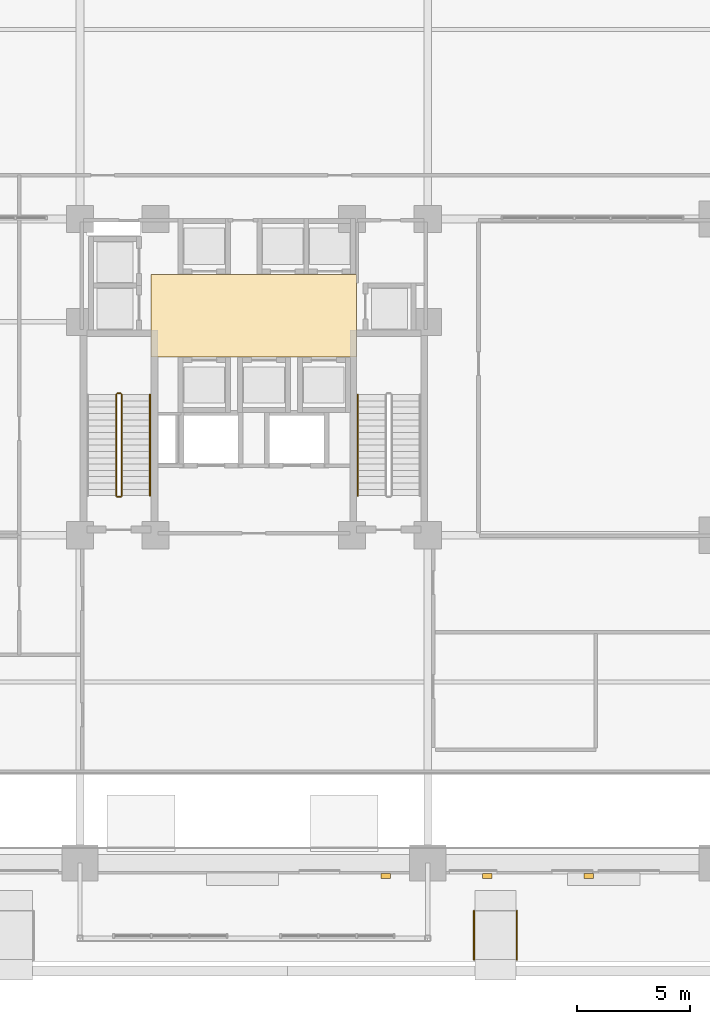
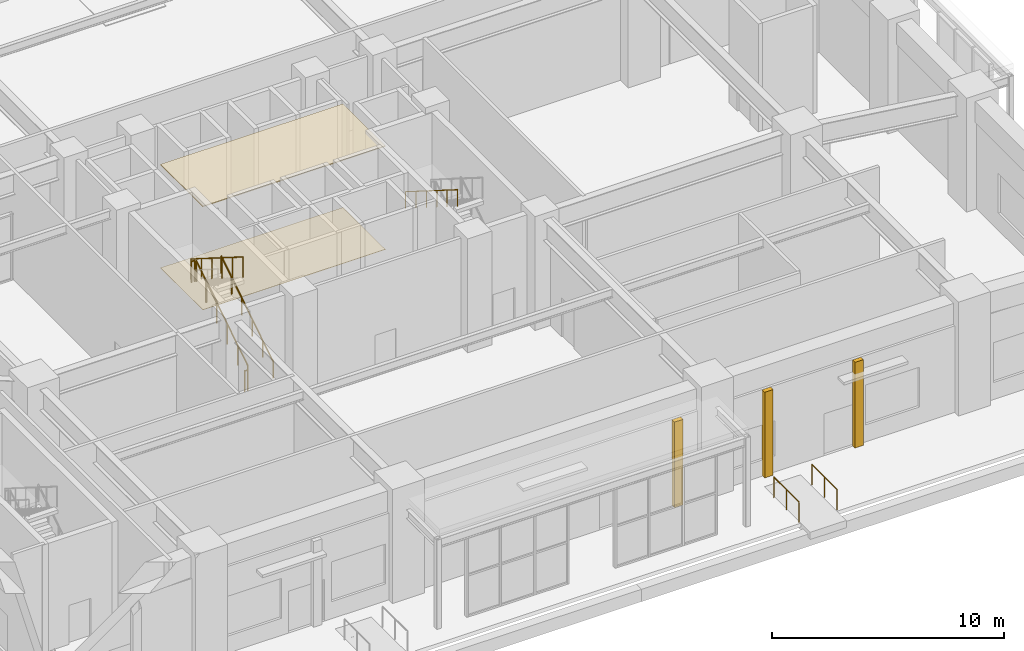
# One storey, part 20 of 24: 8 railings, 5 coverings.
"""IFC4 building model written with IfcOpenShell, lengths in metres."""

import ifcopenshell
import ifcopenshell.guid

model = None  # the IFC model being written
_history = None  # IfcOwnerHistory: only IFC2X3 demands one
_inside = {}  # id of a spatial element -> (the spatial element, [elements in it])
_under = {}  # id of a project, library or spatial element -> (it, [spatial elements below it])
_declared = {}  # id of a project -> (the project, [libraries it declares])
_typed = {}  # id of a type object -> (the type object, [elements of that type])
_made_of = {}  # id of a material, layer set ... -> (it, [elements and type objects made of it])


def new_model(schema):
    """Start an empty IFC model of exactly this schema.

    Asked for "IFC4X3", IfcOpenShell would pick the latest addendum, in which some entities
    have other attributes; the version numbers below select the first issue.
    IFC2X3 requires an IfcOwnerHistory on every rooted entity: one is made here for all.
    """
    global model, _history
    if schema == "IFC4X3":
        model = ifcopenshell.file(schema_version=(4, 3, 0, 0))
    else:
        model = ifcopenshell.file(schema=schema)
    _inside.clear()
    _under.clear()
    _declared.clear()
    _typed.clear()
    _made_of.clear()
    _history = None
    if model.schema == "IFC2X3":
        org = make("IfcOrganization", Name="unknown")
        user = make(
            "IfcPersonAndOrganization",
            ThePerson=make("IfcPerson", FamilyName="unknown"),
            TheOrganization=org,
        )
        app = make(
            "IfcApplication",
            ApplicationDeveloper=org,
            Version="unknown",
            ApplicationFullName="unknown",
            ApplicationIdentifier="unknown",
        )
        _history = make(
            "IfcOwnerHistory",
            OwningUser=user,
            OwningApplication=app,
            ChangeAction="ADDED",
            CreationDate=0,
        )
    return model


def make(cls, **values):
    """One entity of the class cls with the attributes given. An attribute that is None is left unset."""
    return model.create_entity(
        cls, **{name: value for name, value in values.items() if value is not None}
    )


def rooted(cls, **values):
    """An entity with a GlobalId (a new one), such as an element, a storey or a relation."""
    return make(cls, GlobalId=ifcopenshell.guid.new(), OwnerHistory=_history, **values)


def si_unit(unit_type, name, prefix=None):
    """IfcSIUnit, for example si_unit("LENGTHUNIT", "METRE", prefix="MILLI")."""
    return make("IfcSIUnit", UnitType=unit_type, Prefix=prefix, Name=name)


def derived_unit(unit_type, elements):
    """IfcDerivedUnit: a product of units, each with its exponent."""
    return make(
        "IfcDerivedUnit",
        Elements=[
            make("IfcDerivedUnitElement", Unit=unit, Exponent=power)
            for unit, power in elements
        ],
        UnitType=unit_type,
    )


def assignment(units):
    """IfcUnitAssignment: the units of a project."""
    return None if units is None else make("IfcUnitAssignment", Units=units)


def point(xyz):
    """IfcCartesianPoint."""
    return None if xyz is None else make("IfcCartesianPoint", Coordinates=xyz)


def direction(xyz):
    """IfcDirection."""
    return None if xyz is None else make("IfcDirection", DirectionRatios=xyz)


def frame(location, z_axis=None, x_axis=None):
    """IfcAxis2Placement3D, a coordinate frame: its origin and axes. An axis left out is left unset."""
    return make(
        "IfcAxis2Placement3D",
        Location=point(location),
        Axis=direction(z_axis),
        RefDirection=direction(x_axis),
    )


def frame_2d(location, x_axis=None):
    """IfcAxis2Placement2D, a coordinate frame in the plane: its origin and x axis."""
    return make(
        "IfcAxis2Placement2D", Location=point(location), RefDirection=direction(x_axis)
    )


def origin():
    """The frame at (0, 0, 0) with its axes left unset."""
    return frame((0.0, 0.0, 0.0))


def origin_2d():
    """The frame at (0, 0) in the plane with its x axis left unset."""
    return frame_2d((0.0, 0.0))


def place(relative_to, where):
    """IfcLocalPlacement: puts the frame where relative to a parent placement (None: the world)."""
    return make(
        "IfcLocalPlacement", PlacementRelTo=relative_to, RelativePlacement=where
    )


def context(
    kind, dimensions, precision=None, world=None, true_north=None, identifier=None
):
    """IfcGeometricRepresentationContext, for example the 3D "Model" context."""
    return make(
        "IfcGeometricRepresentationContext",
        ContextIdentifier=identifier,
        ContextType=kind,
        CoordinateSpaceDimension=dimensions,
        Precision=precision,
        WorldCoordinateSystem=world,
        TrueNorth=true_north,
    )


def subcontext(parent, identifier, kind, view, scale=None):
    """IfcGeometricRepresentationSubContext, for example "Body" below "Model"."""
    return make(
        "IfcGeometricRepresentationSubContext",
        ContextIdentifier=identifier,
        ContextType=kind,
        ParentContext=parent,
        TargetScale=scale,
        TargetView=view,
    )


def project(units=None, contexts=None):
    """IfcProject with its units and contexts."""
    return rooted(
        "IfcProject",
        Name="project",
        RepresentationContexts=contexts,
        UnitsInContext=assignment(units),
    )


def spatial(cls, under=None, at=None, **own):
    """A site, building, storey or space (cls), placed at a placement, below another one or the project."""
    s = rooted(cls, ObjectPlacement=at, **own)
    if under is not None:
        _under.setdefault(under.id(), (under, []))[1].append(s)
    return s


def polyline(points):
    """IfcPolyline through the points."""
    return make("IfcPolyline", Points=[point(p) for p in points])


def profile(cls, at=None, kind="AREA", **sizes):
    """A parametric profile (cls). Its sizes go by their IFC names, for example OverallWidth=200.0."""
    return make(cls, ProfileType=kind, Position=at, **sizes)


def rectangle(**sizes):
    """IfcRectangleProfileDef."""
    return profile("IfcRectangleProfileDef", **sizes)


def circle(**sizes):
    """IfcCircleProfileDef."""
    return profile("IfcCircleProfileDef", **sizes)


def outline(outer, holes=None, kind="AREA"):
    """IfcArbitraryClosedProfileDef: a profile drawn as a closed curve; with holes, ...WithVoids."""
    if holes is None:
        return make("IfcArbitraryClosedProfileDef", ProfileType=kind, OuterCurve=outer)
    return make(
        "IfcArbitraryProfileDefWithVoids",
        ProfileType=kind,
        OuterCurve=outer,
        InnerCurves=holes,
    )


def extrude(swept, where, along, depth):
    """IfcExtrudedAreaSolid: the profile swept, set in the frame where, extruded along a direction by depth."""
    return make(
        "IfcExtrudedAreaSolid",
        SweptArea=swept,
        Position=where,
        ExtrudedDirection=direction(along),
        Depth=depth,
    )


def shape(context_of_items, identifier, shape_type, items):
    """IfcShapeRepresentation: the items that make up one representation, for example the "Body"."""
    return make(
        "IfcShapeRepresentation",
        ContextOfItems=context_of_items,
        RepresentationIdentifier=identifier,
        RepresentationType=shape_type,
        Items=items,
    )


def material(Name=None, Category=None):
    """IfcMaterial."""
    return make("IfcMaterial", Name=Name, Category=Category)


def layer(
    of_material, thickness, ventilated=None, Name=None, Category=None, Priority=None
):
    """IfcMaterialLayer: one layer of a wall or slab, of a material (None: an air gap)."""
    return make(
        "IfcMaterialLayer",
        Material=of_material,
        LayerThickness=thickness,
        IsVentilated=ventilated,
        Name=Name,
        Category=Category,
        Priority=Priority,
    )


def layer_set(layers, Name=None):
    """IfcMaterialLayerSet."""
    return make("IfcMaterialLayerSet", MaterialLayers=layers, LayerSetName=Name)


def made_of(thing, what):
    """Note that an element or type object is made of a material, layer set ...; save() writes the relation."""
    if what is not None:
        _made_of.setdefault(what.id(), (what, []))[1].append(thing)
    return thing


def type_object(cls, material=None, **own):
    """A type object (cls), such as IfcWallType, which elements share."""
    return made_of(rooted(cls, **own), material)


def element(
    cls,
    number,
    at=None,
    inside=None,
    cuts=None,
    type_object=None,
    material=None,
    context=None,
    identifier="Body",
    shape_type=None,
    held_by="IfcProductDefinitionShape",
    body=None,
    shapes=None,
    **own,
):
    """One element of the class cls, such as IfcWall. Its Tag is "e" and its number.

    at: its placement. inside: the storey or other place that contains it. cuts: it is an
    opening in that element (IfcRelVoidsElement). A single representation is given by context,
    identifier, shape_type and body (its items); several are given by shapes. held_by: the class
    of the entity that holds the representations. save() writes the other relations.
    """
    e = rooted(cls, Tag="e%d" % number, ObjectPlacement=at, **own)
    if body is not None:
        shapes = [shape(context, identifier, shape_type, body)]
    if shapes is not None:
        e.Representation = make(held_by, Representations=shapes)
    if inside is not None:
        _inside.setdefault(inside.id(), (inside, []))[1].append(e)
    if cuts is not None:
        rooted(
            "IfcRelVoidsElement", RelatingBuildingElement=cuts, RelatedOpeningElement=e
        )
    if type_object is not None:
        _typed.setdefault(type_object.id(), (type_object, []))[1].append(e)
    return made_of(e, material)


def aggregate(whole, parts):
    """IfcRelAggregates: a whole, such as a stair, and the parts it consists of."""
    return rooted("IfcRelAggregates", RelatingObject=whole, RelatedObjects=parts)


def save(model, path):
    """Write the relations noted so far, then the file.

    IfcRelAggregates (storeys below a building ...), IfcRelContainedInSpatialStructure (elements
    in a storey), IfcRelDefinesByType, IfcRelAssociatesMaterial and IfcRelDeclares: one each for
    every whole, place, type object, material and project.
    """
    for whole, parts in _under.values():
        aggregate(whole, parts)
    for where, things in _inside.values():
        rooted(
            "IfcRelContainedInSpatialStructure",
            RelatedElements=things,
            RelatingStructure=where,
        )
    for kind, things in _typed.values():
        rooted("IfcRelDefinesByType", RelatedObjects=things, RelatingType=kind)
    for what, things in _made_of.values():
        rooted("IfcRelAssociatesMaterial", RelatedObjects=things, RelatingMaterial=what)
    for by, libraries in _declared.values():
        rooted("IfcRelDeclares", RelatingContext=by, RelatedDefinitions=libraries)
    model.write(path)


model = new_model("IFC4")

# Units and contexts
model_context = context("Model", 3, precision=1e-05, world=origin(), true_north=direction((0.0, 1.0)))
body_context = subcontext(model_context, "Body", "Model", "MODEL_VIEW")
ifc_project = project(units=[si_unit("LENGTHUNIT", "METRE"), si_unit("AREAUNIT", "SQUARE_METRE"), si_unit("VOLUMEUNIT", "CUBIC_METRE"), si_unit("PLANEANGLEUNIT", "RADIAN"), si_unit("MASSUNIT", "GRAM", prefix="KILO"), derived_unit("THERMALTRANSMITTANCEUNIT", [(si_unit("MASSUNIT", "GRAM", prefix="KILO"), 1), (si_unit("TIMEUNIT", "SECOND"), -3), (si_unit("THERMODYNAMICTEMPERATUREUNIT", "KELVIN"), -1)])], contexts=[model_context])

# Site, building, storey
site_placement = place(None, origin())
site = spatial("IfcSite", under=ifc_project, at=site_placement, CompositionType="ELEMENT")
building_placement = place(site_placement, origin())
building = spatial("IfcBuilding", under=site, at=building_placement, Name="Korrvale Station Residences", CompositionType="ELEMENT")
storey_placement = place(building_placement, origin())
storey = spatial("IfcBuildingStorey", under=building, at=storey_placement, Name="L00", CompositionType="ELEMENT", Elevation=0.0)

# Coverings
ifc_material_1 = material(Name="Perforated acoustic mineral-fibre suspended ceiling", Category="gypsum")
ifc_layer_1 = layer(ifc_material_1, 0.050048828125, Name="Perforated acoustic mineral-fibre suspended ceiling")
ifc_layer_set_1 = layer_set([ifc_layer_1], Name="Perforated acoustic mineral-fibre suspended ceiling")
covering_type_1 = type_object("IfcCoveringType", Name="COV-CLG-AC60", PredefinedType="CEILING", material=ifc_layer_set_1)
covering_1_placement = place(storey_placement, frame((0.0, 0.0, 5.429931640625)))
element("IfcCovering", 1, at=covering_1_placement, inside=storey, type_object=covering_type_1, Name="L00 Elevator Lobby Acoustic Ceiling", PredefinedType="CEILING", context=body_context, shape_type="SweptSolid", body=[
    extrude(outline(polyline([(20.949951171875, 22.89990234375), (30.050048828125, 22.89990234375), (30.050048828125, 26.550048828125), (20.949951171875, 26.550048828125), (20.949951171875, 22.89990234375)])), origin(), (0.0, 0.0, 1.0), 0.050048828125),
])
ifc_material_2 = material(Name="Polished quartz-terrazzo lobby flooring", Category="masonry")
ifc_layer_2 = layer(ifc_material_2, 0.02001953125, Name="Polished quartz-terrazzo lobby flooring")
ifc_layer_set_2 = layer_set([ifc_layer_2], Name="Polished quartz-terrazzo lobby flooring")
covering_type_2 = type_object("IfcCoveringType", Name="COV-FLR-TER20", PredefinedType="FLOORING", material=ifc_layer_set_2)
covering_2_placement = place(storey_placement, origin())
element("IfcCovering", 2, at=covering_2_placement, inside=storey, type_object=covering_type_2, Name="L00 Elevator Lobby Terrazzo Flooring", PredefinedType="FLOORING", context=body_context, shape_type="SweptSolid", body=[
    extrude(outline(polyline([(20.949951171875, 22.89990234375), (30.050048828125, 22.89990234375), (30.050048828125, 26.550048828125), (20.949951171875, 26.550048828125), (20.949951171875, 22.89990234375)])), origin(), (0.0, 0.0, 1.0), 0.02001953125),
])
ifc_material_3 = material(Name="Architectural precast concrete C45/55", Category="concrete")
ifc_layer_3 = layer(ifc_material_3, 0.219970703125, Name="Architectural precast concrete C45/55")
ifc_layer_set_3 = layer_set([ifc_layer_3], Name="Architectural precast concrete C45/55")
covering_type_3 = type_object("IfcCoveringType", Name="COV-PIER-400", PredefinedType="CLADDING", material=ifc_layer_set_3)
for number, where, z_axis, x_axis, name in (
    (3, (40.340087890625, -0.090087890625, 0.02490234375), (0.0, 0.0, 1.0), (1.0, 0.0, 0.0), "L00 Architectural Precast Facade Pier 02"),
    (4, (35.840087890625, -0.090087890625, 0.02490234375), (0.0, 0.0, 1.0), (1.0, 0.0, 0.0), "L00 Architectural Precast Facade Pier 03"),
    (5, (31.340087890625, -0.090087890625, 0.02490234375), (0.0, 0.0, 1.0), (1.0, 0.0, 0.0), "L00 Architectural Precast Facade Pier 04"),
):
    element("IfcCovering", number, at=place(storey_placement, frame(where, z_axis=z_axis, x_axis=x_axis)), inside=storey, type_object=covering_type_3, Name=name, PredefinedType="CLADDING", context=body_context, shape_type="SweptSolid", body=[
        extrude(rectangle(XDim=0.419921875, YDim=0.219970703125, at=origin_2d()), origin(), (0.0, 0.0, 1.0), 4.514892578125),
    ])

# Railings
ifc_material_4 = material(Name="Brushed stainless-steel accessibility ramp guard-handrail", Category="steel")
railing_type_1 = type_object("IfcRailingType", Name="RLG-RMP-1100", PredefinedType="GUARDRAIL", material=ifc_material_4)
for number, where, name in (
    (6, (35.25, -3.800048828125, 0.0), "Accessible Ramp Guard-Handrail R-ACC-2-A"),
    (7, (37.14990234375, -3.800048828125, 0.0), "Accessible Ramp Guard-Handrail R-ACC-2-B"),
):
    element("IfcRailing", number, at=place(storey_placement, frame(where)), inside=storey, type_object=railing_type_1, Name=name, PredefinedType="GUARDRAIL", context=body_context, shape_type="SweptSolid", body=[
        extrude(circle(Radius=0.02392578125, at=origin_2d()), frame((0.0, 0.0, 1.076171875), z_axis=(0.0, 1.0, 0.0), x_axis=(-1.0, 0.0, 0.0)), (0.0, 0.0, 1.0), 2.16015625),
        extrude(circle(Radius=0.02099609375, at=origin_2d()), origin(), (0.0, 0.0, 1.0), 1.052001953125),
        extrude(circle(Radius=0.02099609375, at=origin_2d()), frame((0.0, 1.080078125, 0.0)), (0.0, 0.0, 1.0), 1.052001953125),
        extrude(circle(Radius=0.02099609375, at=origin_2d()), frame((0.0, 2.16015625, 0.0)), (0.0, 0.0, 1.0), 1.052001953125),
    ])
ifc_material_5 = material(Name="Brushed stainless-steel continuous stair handrail", Category="steel")
railing_type_2 = type_object("IfcRailingType", Name="RLG-SHND-900", PredefinedType="HANDRAIL", material=ifc_material_5)
railing_1_placement = place(storey_placement, frame((20.89990234375, 16.75, 0.176513671875)))
element("IfcRailing", 8, at=railing_1_placement, inside=storey, type_object=railing_type_2, Name="L00 ST-1 stair handrail 1", PredefinedType="HANDRAIL", context=body_context, shape_type="SweptSolid", body=[
    extrude(circle(Radius=0.02392578125, at=origin_2d()), frame((0.0, 0.0, 0.8759765625), z_axis=(0.0, 0.845997938375, 0.533186166611), x_axis=(-1.0, 0.0, 0.0)), (0.0, 0.0, 1.0), 5.29541015625),
    extrude(circle(Radius=0.02099609375, at=origin_2d()), origin(), (0.0, 0.0, 1.0), 0.851806640625),
    extrude(circle(Radius=0.02099609375, at=origin_2d()), frame((0.0, 0.89599609375, 0.564697265625)), (0.0, 0.0, 1.0), 0.851806640625),
    extrude(circle(Radius=0.02099609375, at=origin_2d()), frame((0.0, 1.7919921875, 1.12939453125)), (0.0, 0.0, 1.0), 0.851806640625),
    extrude(circle(Radius=0.02099609375, at=origin_2d()), frame((0.0, 2.68798828125, 1.694091796875)), (0.0, 0.0, 1.0), 0.851806640625),
    extrude(circle(Radius=0.02099609375, at=origin_2d()), frame((0.0, 3.583984375, 2.2587890625)), (0.0, 0.0, 1.0), 0.851806640625),
    extrude(circle(Radius=0.02099609375, at=origin_2d()), frame((0.0, 4.47998046875, 2.823486328125)), (0.0, 0.0, 1.0), 0.851806640625),
])
railing_2_placement = place(storey_placement, frame((30.10009765625, 21.22998046875, 3.176513671875)))
element("IfcRailing", 9, at=railing_2_placement, inside=storey, type_object=railing_type_2, Name="L00 ST-2 stair handrail 2", PredefinedType="HANDRAIL", context=body_context, shape_type="SweptSolid", body=[
    extrude(circle(Radius=0.02392578125, at=origin_2d()), frame((0.0, 0.0, 0.8759765625), z_axis=(0.0, -0.845997938375, 0.533186166611), x_axis=(1.0, 0.0, 0.0)), (0.0, 0.0, 1.0), 5.29541015625),
    extrude(circle(Radius=0.02099609375, at=origin_2d()), origin(), (0.0, 0.0, 1.0), 0.851806640625),
    extrude(circle(Radius=0.02099609375, at=origin_2d()), frame((0.0, -0.89599609375, 0.564697265625)), (0.0, 0.0, 1.0), 0.851806640625),
    extrude(circle(Radius=0.02099609375, at=origin_2d()), frame((0.0, -1.7919921875, 1.12939453125)), (0.0, 0.0, 1.0), 0.851806640625),
    extrude(circle(Radius=0.02099609375, at=origin_2d()), frame((0.0, -2.68798828125, 1.694091796875)), (0.0, 0.0, 1.0), 0.851806640625),
    extrude(circle(Radius=0.02099609375, at=origin_2d()), frame((0.0, -3.583984375, 2.2587890625)), (0.0, 0.0, 1.0), 0.851806640625),
    extrude(circle(Radius=0.02099609375, at=origin_2d()), frame((0.0, -4.47998046875, 2.823486328125)), (0.0, 0.0, 1.0), 0.851806640625),
])
ifc_material_6 = material(Name="Galvanised painted tubular steel stair guard", Category="steel")
railing_type_3 = type_object("IfcRailingType", Name="RLG-STR-1100", PredefinedType="GUARDRAIL", material=ifc_material_6)
railing_3_placement = place(storey_placement, frame((19.64990234375, 16.75, 0.176513671875)))
element("IfcRailing", 10, at=railing_3_placement, inside=storey, type_object=railing_type_3, Name="L00 ST-1 stair guard 1", PredefinedType="GUARDRAIL", context=body_context, shape_type="SweptSolid", body=[
    extrude(circle(Radius=0.02392578125, at=origin_2d()), frame((0.0, 0.0, 1.076171875), z_axis=(0.0, 0.845997938375, 0.533186166611), x_axis=(-1.0, 0.0, 0.0)), (0.0, 0.0, 1.0), 5.29541015625),
    extrude(circle(Radius=0.02099609375, at=origin_2d()), origin(), (0.0, 0.0, 1.0), 1.052001953125),
    extrude(circle(Radius=0.02099609375, at=origin_2d()), frame((0.0, 0.89599609375, 0.564697265625)), (0.0, 0.0, 1.0), 1.052001953125),
    extrude(circle(Radius=0.02099609375, at=origin_2d()), frame((0.0, 1.7919921875, 1.12939453125)), (0.0, 0.0, 1.0), 1.052001953125),
    extrude(circle(Radius=0.02099609375, at=origin_2d()), frame((0.0, 2.68798828125, 1.694091796875)), (0.0, 0.0, 1.0), 1.052001953125),
    extrude(circle(Radius=0.02099609375, at=origin_2d()), frame((0.0, 3.583984375, 2.2587890625)), (0.0, 0.0, 1.0), 1.052001953125),
    extrude(circle(Radius=0.02099609375, at=origin_2d()), frame((0.0, 4.47998046875, 2.823486328125)), (0.0, 0.0, 1.0), 1.052001953125),
])
railing_4_placement = place(storey_placement, frame((19.60009765625, 21.280029296875, 3.0)))
element("IfcRailing", 11, at=railing_4_placement, inside=storey, type_object=railing_type_3, Name="L00 ST-1 stair guard 2", PredefinedType="GUARDRAIL", context=body_context, shape_type="SweptSolid", body=[
    extrude(circle(Radius=0.02392578125, at=origin_2d()), frame((0.0, 0.0, 1.076171875), z_axis=(-1.0, 0.0, 0.0), x_axis=(0.0, -1.0, 0.0)), (0.0, 0.0, 1.0), 0.150146484375),
    extrude(circle(Radius=0.02099609375, at=origin_2d()), origin(), (0.0, 0.0, 1.0), 1.052001953125),
    extrude(circle(Radius=0.02099609375, at=origin_2d()), frame((-0.150146484375, 0.0, 0.0)), (0.0, 0.0, 1.0), 1.052001953125),
])
railing_5_placement = place(storey_placement, frame((19.39990234375, 21.22998046875, 3.176513671875)))
element("IfcRailing", 12, at=railing_5_placement, inside=storey, type_object=railing_type_3, Name="L00 ST-1 stair guard 3", PredefinedType="GUARDRAIL", context=body_context, shape_type="SweptSolid", body=[
    extrude(circle(Radius=0.02392578125, at=origin_2d()), frame((0.0, 0.0, 1.076171875), z_axis=(0.0, -0.845997938375, 0.533186166611), x_axis=(1.0, 0.0, 0.0)), (0.0, 0.0, 1.0), 5.29541015625),
    extrude(circle(Radius=0.02099609375, at=origin_2d()), origin(), (0.0, 0.0, 1.0), 1.052001953125),
    extrude(circle(Radius=0.02099609375, at=origin_2d()), frame((0.0, -0.89599609375, 0.564697265625)), (0.0, 0.0, 1.0), 1.052001953125),
    extrude(circle(Radius=0.02099609375, at=origin_2d()), frame((0.0, -1.7919921875, 1.12939453125)), (0.0, 0.0, 1.0), 1.052001953125),
    extrude(circle(Radius=0.02099609375, at=origin_2d()), frame((0.0, -2.68798828125, 1.694091796875)), (0.0, 0.0, 1.0), 1.052001953125),
    extrude(circle(Radius=0.02099609375, at=origin_2d()), frame((0.0, -3.583984375, 2.2587890625)), (0.0, 0.0, 1.0), 1.052001953125),
    extrude(circle(Radius=0.02099609375, at=origin_2d()), frame((0.0, -4.47998046875, 2.823486328125)), (0.0, 0.0, 1.0), 1.052001953125),
])
railing_6_placement = place(storey_placement, frame((19.60009765625, 16.699951171875, 0.0)))
element("IfcRailing", 13, at=railing_6_placement, inside=storey, type_object=railing_type_3, Name="L00 ST-1 stair guard 4", PredefinedType="GUARDRAIL", context=body_context, shape_type="SweptSolid", body=[
    extrude(circle(Radius=0.02392578125, at=origin_2d()), frame((0.0, 0.0, 1.076171875), z_axis=(-1.0, 0.0, 0.0), x_axis=(0.0, -1.0, 0.0)), (0.0, 0.0, 1.0), 0.150146484375),
    extrude(circle(Radius=0.02099609375, at=origin_2d()), origin(), (0.0, 0.0, 1.0), 1.052001953125),
    extrude(circle(Radius=0.02099609375, at=origin_2d()), frame((-0.150146484375, 0.0, 0.0)), (0.0, 0.0, 1.0), 1.052001953125),
])

save(model, "model.ifc")
